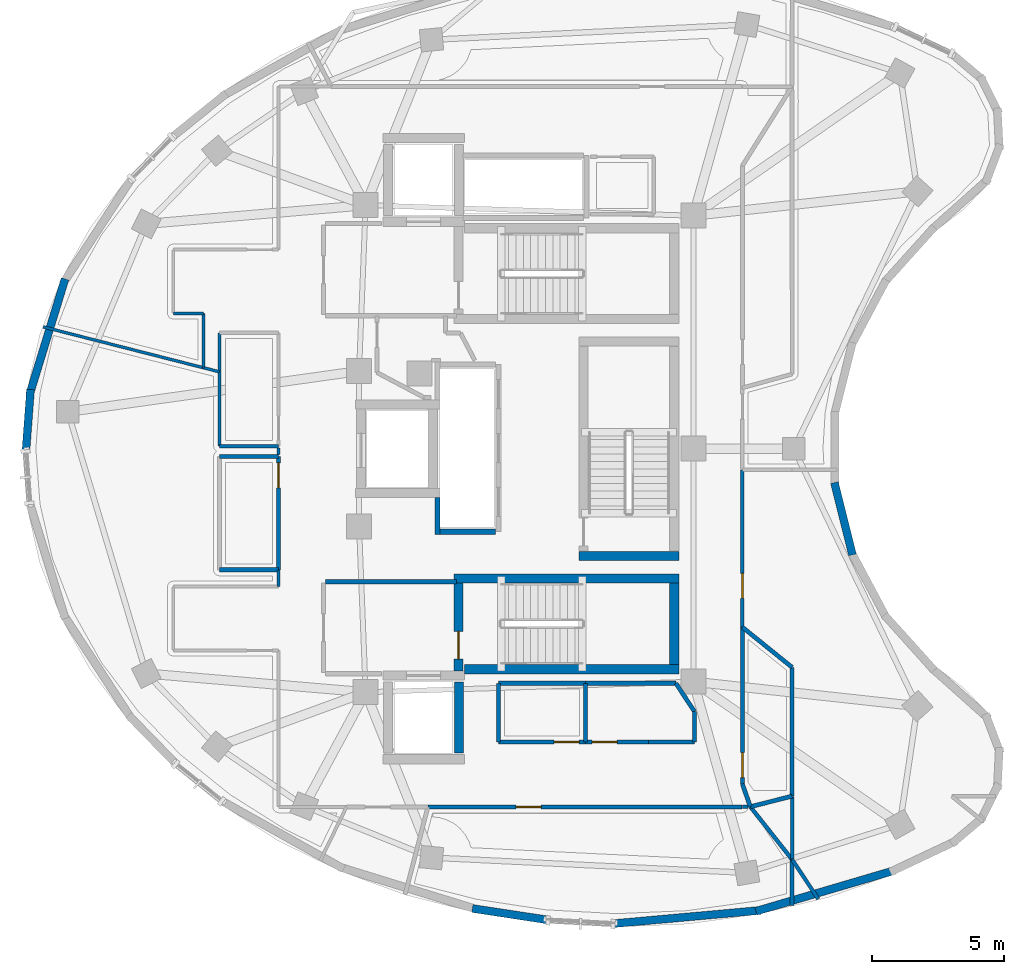
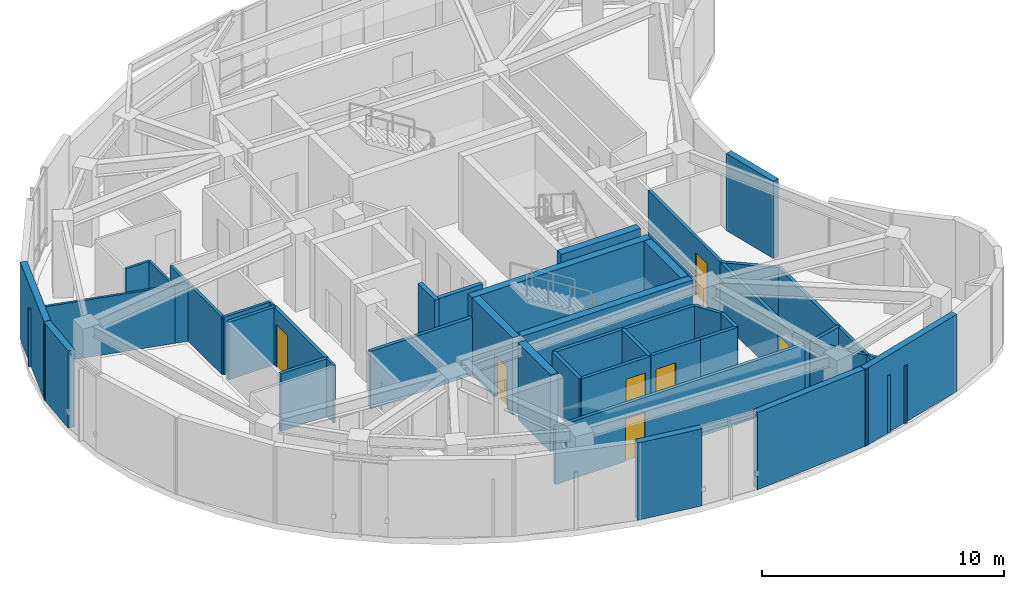
# One storey, part 4 of 10: 47 walls, 7 doors, 7 openings.
"""IFC4 building model written with IfcOpenShell, lengths in metres."""

from ifc_helpers import new_model, si_unit, direction, frame, frame_2d, origin, place, context, subcontext, project, spatial, rectangle, extrude, material, layer, layer_set, type_object, element, fill, save


model = new_model("IFC4")

# Units and contexts
model_context = context("Model", 3, precision=1e-05, world=origin(), true_north=direction((0.0, 1.0)))
body_context = subcontext(model_context, "Body", "Model", "MODEL_VIEW")
ifc_project = project(units=[si_unit("LENGTHUNIT", "METRE"), si_unit("AREAUNIT", "SQUARE_METRE"), si_unit("VOLUMEUNIT", "CUBIC_METRE"), si_unit("PLANEANGLEUNIT", "RADIAN"), si_unit("MASSUNIT", "GRAM", prefix="KILO")], contexts=[model_context])

# Site, building, storey
site_placement = place(None, origin())
site = spatial("IfcSite", under=ifc_project, at=site_placement, CompositionType="ELEMENT")
building_placement = place(site_placement, origin())
building = spatial("IfcBuilding", under=site, at=building_placement, Name="Korentha Bioscience Tower", CompositionType="ELEMENT")
storey_placement = place(building_placement, frame((0.0, 0.0, 306.0)))
storey = spatial("IfcBuildingStorey", under=building, at=storey_placement, Name="L70", CompositionType="ELEMENT", Elevation=306.0)

# Wall, opening, door
ifc_material_1 = material(Name="Double-Stud Acoustic Gypsum", Category="gypsum")
ifc_layer_1 = layer(ifc_material_1, 0.14990234375, Name="Double-Stud Acoustic Gypsum")
ifc_layer_set_1 = layer_set([ifc_layer_1], Name="Double-Stud Acoustic Gypsum (IW-L150)")
wall_type_1 = type_object("IfcWallType", Name="Acoustic Laboratory Partition Wall 150", PredefinedType="PARTITIONING", material=ifc_layer_set_1)
wall_1_placement = place(storey_placement, frame((27.4736328125, 13.389892578125, 0.0), z_axis=(0.0, 0.0, 1.0), x_axis=(1.0, 0.0, 0.0)))
wall_1 = element("IfcWall", 1, at=wall_1_placement, inside=storey, type_object=wall_type_1, Name="L70 Staff Pantry Kitchenette 03 Entrance Wall", PredefinedType="PARTITIONING", context=body_context, shape_type="SweptSolid", body=[
    extrude(rectangle(XDim=11.92626953125, YDim=0.14990234375, at=frame_2d((5.963134765625, 0.0))), origin(), (0.0, 0.0, 1.0), 2.909912109375),
])
opening_1_placement = place(wall_1_placement, frame((3.343505859375, 0.0, 0.0)))
opening_1 = element("IfcOpeningElement", 2, at=opening_1_placement, cuts=wall_1, Name="Opening ID-10L", PredefinedType="OPENING", context=body_context, shape_type="SweptSolid", body=[
    extrude(rectangle(XDim=0.949951171875, YDim=2.14990234375, at=frame_2d((0.47509765625, 1.074951171875))), frame((0.0, 0.08984375, 0.0), z_axis=(0.0, -1.0, 0.0), x_axis=(1.0, 0.0, 0.0)), (0.0, 0.0, 1.0), 0.1796875),
])
ifc_material_2 = material(Name="Phenolic Laminate Timber Core", Category="wood")
door_type_1 = type_object("IfcDoorType", Name="Laboratory Single Leaf Door 950x2150 Left", OperationType="SINGLE_SWING_LEFT", PredefinedType="DOOR", material=ifc_material_2)
door_1_placement = place(opening_1_placement, origin())
door_1 = element("IfcDoor", 3, at=door_1_placement, inside=storey, type_object=door_type_1, Name="L70 Staff Pantry Kitchenette 03 Door", OperationType="SINGLE_SWING_LEFT", OverallHeight=2.14990234375, OverallWidth=0.949951171875, PredefinedType="DOOR", context=body_context, shape_type="SweptSolid", body=[
    extrude(rectangle(XDim=0.949951171875, YDim=2.14990234375, at=frame_2d((0.47509765625, 1.074951171875))), frame((0.0, 0.02490234375, 0.0), z_axis=(0.0, -1.0, 0.0), x_axis=(1.0, 0.0, 0.0)), (0.0, 0.0, 1.0), 0.050048828125),
])
fill(opening_1, door_1)

# Walls
wall_2_placement = place(storey_placement, frame((39.71337890625, 13.39990234375, 0.0), z_axis=(0.0, 0.0, 1.0), x_axis=(0.620093383625, -0.784528008158, 0.0)))
element("IfcWall", 4, at=wall_2_placement, inside=storey, type_object=wall_type_1, Name="L70 Interior Partition 037", PredefinedType="PARTITIONING", context=body_context, shape_type="SweptSolid", body=[
    extrude(rectangle(XDim=2.55517578125, YDim=0.14990234375, at=frame_2d((1.277587890625, 0.0))), origin(), (0.0, 0.0, 1.0), 2.909912109375),
])
wall_3_placement = place(storey_placement, frame((41.298095703125, 11.39501953125, 0.0), z_axis=(0.0, 0.0, 1.0), x_axis=(0.0, -1.0, 0.0)))
element("IfcWall", 5, at=wall_3_placement, inside=storey, type_object=wall_type_1, Name="L70 Interior Partition 038", PredefinedType="PARTITIONING", context=body_context, shape_type="SweptSolid", body=[
    extrude(rectangle(XDim=1.74609375, YDim=0.14990234375, at=frame_2d((0.873046875, 0.0))), origin(), (0.0, 0.0, 1.0), 2.909912109375),
])
wall_4_placement = place(storey_placement, frame((39.409912109375, 13.39990234375, 0.0), z_axis=(0.0, 0.0, 1.0), x_axis=(1.0, 0.0, 0.0)))
element("IfcWall", 6, at=wall_4_placement, inside=storey, type_object=wall_type_1, Name="L70 Interior Partition 040", PredefinedType="PARTITIONING", context=body_context, shape_type="SweptSolid", body=[
    extrude(rectangle(XDim=0.215576171875, YDim=0.14990234375, at=frame_2d((0.10791015625, 0.0))), origin(), (0.0, 0.0, 1.0), 2.909912109375),
])

# Wall, opening, door
ifc_material_3 = material(Name="Insulated Aluminium Honeycomb Panel", Category="aluminium")
ifc_layer_2 = layer(ifc_material_3, 0.139892578125, Name="Insulated Aluminium Honeycomb Panel")
ifc_layer_set_2 = layer_set([ifc_layer_2], Name="Insulated Aluminium Honeycomb Panel (IW-F60)")
wall_type_2 = type_object("IfcWallType", Name="Cleanroom Flush Metal Panel Partition 140", PredefinedType="PARTITIONING", material=ifc_layer_set_2)
wall_5_placement = place(storey_placement, frame((39.409912109375, 20.230224609375, 0.0), z_axis=(0.0, 0.0, 1.0), x_axis=(0.0, 1.0, 0.0)))
wall_5 = element("IfcWall", 7, at=wall_5_placement, inside=storey, type_object=wall_type_2, Name="L70 BSL-2 Cell Culture Cleanroom Laboratory 06 Entrance Wall", PredefinedType="PARTITIONING", context=body_context, shape_type="SweptSolid", body=[
    extrude(rectangle(XDim=5.9677734375, YDim=0.139892578125, at=frame_2d((2.98388671875, 0.0))), origin(), (0.0, 0.0, 1.0), 2.909912109375),
])
opening_2_placement = place(wall_5_placement, frame((1.080322265625, 0.0, 0.0)))
opening_2 = element("IfcOpeningElement", 8, at=opening_2_placement, cuts=wall_5, Name="Opening ID-10R", PredefinedType="OPENING", context=body_context, shape_type="SweptSolid", body=[
    extrude(rectangle(XDim=0.949951171875, YDim=2.14990234375, at=frame_2d((0.47509765625, 1.074951171875))), frame((0.0, 0.0849609375, 0.0), z_axis=(0.0, -1.0, 0.0), x_axis=(1.0, 0.0, 0.0)), (0.0, 0.0, 1.0), 0.169677734375),
])
door_type_2 = type_object("IfcDoorType", Name="Laboratory Single Leaf Door 950x2150 Right", OperationType="SINGLE_SWING_RIGHT", PredefinedType="DOOR", material=ifc_material_2)
door_2_placement = place(opening_2_placement, origin())
door_2 = element("IfcDoor", 9, at=door_2_placement, inside=storey, type_object=door_type_2, Name="L70 BSL-2 Cell Culture Cleanroom Laboratory 06 Door", OperationType="SINGLE_SWING_RIGHT", OverallHeight=2.14990234375, OverallWidth=0.949951171875, PredefinedType="DOOR", context=body_context, shape_type="SweptSolid", body=[
    extrude(rectangle(XDim=0.949951171875, YDim=2.14990234375, at=frame_2d((0.47509765625, 1.074951171875))), frame((0.0, 0.02490234375, 0.0), z_axis=(0.0, -1.0, 0.0), x_axis=(1.0, 0.0, 0.0)), (0.0, 0.0, 1.0), 0.050048828125),
])
fill(opening_2, door_2)

# Walls
wall_6_placement = place(storey_placement, frame((42.290771484375, 9.89697265625, 0.0), z_axis=(0.0, 0.0, 1.0), x_axis=(-0.550495379436, 0.834838210206, 0.0)))
element("IfcWall", 10, at=wall_6_placement, inside=storey, type_object=wall_type_2, Name="L70 Interior Partition 052", PredefinedType="PARTITIONING", context=body_context, shape_type="SweptSolid", body=[
    extrude(rectangle(XDim=1.78515625, YDim=0.139892578125, at=frame_2d((0.892578125, 0.0))), origin(), (0.0, 0.0, 1.0), 2.909912109375),
])
wall_7_placement = place(storey_placement, frame((41.302001953125, 11.4072265625, 0.0), z_axis=(0.0, 0.0, 1.0), x_axis=(0.0, 1.0, 0.0)))
element("IfcWall", 11, at=wall_7_placement, inside=storey, type_object=wall_type_2, Name="L70 Interior Partition 053", PredefinedType="PARTITIONING", context=body_context, shape_type="SweptSolid", body=[
    extrude(rectangle(XDim=2.385498046875, YDim=0.139892578125, at=frame_2d((1.19287109375, 0.0))), origin(), (0.0, 0.0, 1.0), 2.909912109375),
])
ifc_material_4 = material(Name="Fire-Rated Framed Glass", Category="glass")
ifc_layer_3 = layer(ifc_material_4, 0.110107421875, Name="Fire-Rated Framed Glass")
ifc_layer_set_3 = layer_set([ifc_layer_3], Name="Fire-Rated Framed Glass (IW-G110)")
wall_type_3 = type_object("IfcWallType", Name="Demountable Glazed Office Partition 110", PredefinedType="MOVABLE", material=ifc_layer_set_3)
wall_8_placement = place(storey_placement, frame((12.8544921875, 31.6259765625, 0.0), z_axis=(0.0, 0.0, 1.0), x_axis=(0.96901544636, -0.247000131004, 0.0)))
element("IfcWall", 12, at=wall_8_placement, inside=storey, type_object=wall_type_3, Name="L70 Interior Partition 027", PredefinedType="MOVABLE", context=body_context, shape_type="SweptSolid", body=[
    extrude(rectangle(XDim=6.288330078125, YDim=0.110107421875, at=frame_2d((3.14404296875, 0.0))), origin(), (0.0, 0.0, 1.0), 2.909912109375),
])
wall_9_placement = place(storey_placement, frame((18.9521484375, 30.07177734375, 0.0), z_axis=(0.0, 0.0, 1.0), x_axis=(0.968995646976, -0.247077793706, 0.0)))
element("IfcWall", 13, at=wall_9_placement, inside=storey, type_object=wall_type_3, Name="L70 Interior Partition 028", PredefinedType="MOVABLE", context=body_context, shape_type="SweptSolid", body=[
    extrude(rectangle(XDim=0.606689453125, YDim=0.110107421875, at=frame_2d((0.30322265625, 0.0))), origin(), (0.0, 0.0, 1.0), 2.909912109375),
])
wall_10_placement = place(storey_placement, frame((21.7900390625, 27.031982421875, 0.0), z_axis=(0.0, 0.0, 1.0), x_axis=(0.0, -1.0, 0.0)))
element("IfcWall", 14, at=wall_10_placement, inside=storey, type_object=wall_type_3, Name="L70 Interior Partition 029", PredefinedType="MOVABLE", context=body_context, shape_type="SweptSolid", body=[
    extrude(rectangle(XDim=0.2490234375, YDim=0.110107421875, at=frame_2d((0.12451171875, 0.0))), origin(), (0.0, 0.0, 1.0), 2.909912109375),
])
wall_11_placement = place(storey_placement, frame((21.7900390625, 22.389892578125, 0.0), z_axis=(0.0, 0.0, 1.0), x_axis=(0.0, -1.0, 0.0)))
element("IfcWall", 15, at=wall_11_placement, inside=storey, type_object=wall_type_3, Name="L70 Interior Partition 030", PredefinedType="MOVABLE", context=body_context, shape_type="SweptSolid", body=[
    extrude(rectangle(XDim=0.6298828125, YDim=0.110107421875, at=frame_2d((0.31494140625, 0.0))), origin(), (0.0, 0.0, 1.0), 2.909912109375),
])
wall_12_placement = place(storey_placement, frame((17.800048828125, 32.139892578125, 0.0), z_axis=(0.0, 0.0, 1.0), x_axis=(1.0, 0.0, 0.0)))
element("IfcWall", 16, at=wall_12_placement, inside=storey, type_object=wall_type_3, Name="L70 Interior Partition 071", PredefinedType="MOVABLE", context=body_context, shape_type="SweptSolid", body=[
    extrude(rectangle(XDim=1.14794921875, YDim=0.110107421875, at=frame_2d((0.573974609375, 0.0))), origin(), (0.0, 0.0, 1.0), 2.909912109375),
])
wall_13_placement = place(storey_placement, frame((18.947998046875, 32.139892578125, 0.0), z_axis=(0.0, 0.0, 1.0), x_axis=(0.0, -1.0, 0.0)))
element("IfcWall", 17, at=wall_13_placement, inside=storey, type_object=wall_type_3, Name="L70 Interior Partition 072", PredefinedType="MOVABLE", context=body_context, shape_type="SweptSolid", body=[
    extrude(rectangle(XDim=2.056884765625, YDim=0.110107421875, at=frame_2d((1.0283203125, 0.0))), origin(), (0.0, 0.0, 1.0), 2.909912109375),
])
ifc_material_5 = material(Name="Gypsum-Clad Steel Stud", Category="steel")
ifc_layer_4 = layer(ifc_material_5, 0.159912109375, Name="Gypsum-Clad Steel Stud")
ifc_layer_set_4 = layer_set([ifc_layer_4], Name="Gypsum-Clad Steel Stud (IW-C160)")
wall_type_4 = type_object("IfcWallType", Name="Fire-Rated Corridor Partition Wall 160", PredefinedType="PARTITIONING", material=ifc_layer_set_4)
wall_14_placement = place(storey_placement, frame((23.580078125, 21.949951171875, 0.0), z_axis=(0.0, 0.0, 1.0), x_axis=(1.0, 0.0, 0.0)))
element("IfcWall", 18, at=wall_14_placement, inside=storey, type_object=wall_type_4, Name="L70 Firefighting Lobby Return Wall FFLS-N", PredefinedType="PARTITIONING", context=body_context, shape_type="SweptSolid", body=[
    extrude(rectangle(XDim=4.969970703125, YDim=0.159912109375, at=frame_2d((2.48486328125, 0.0))), origin(), (0.0, 0.0, 1.0), 2.909912109375),
])

# Wall, opening, door
wall_15_placement = place(storey_placement, frame((33.449951171875, 15.860107421875, 0.0), z_axis=(0.0, 0.0, 1.0), x_axis=(-1.0, 0.0, 0.0)))
wall_15 = element("IfcWall", 19, at=wall_15_placement, inside=storey, type_object=wall_type_4, Name="L70 Core Instrumentation and Gas Store Entrance Wall", PredefinedType="PARTITIONING", context=body_context, shape_type="SweptSolid", body=[
    extrude(rectangle(XDim=3.300048828125, YDim=0.159912109375, at=frame_2d((1.64990234375, 0.0))), origin(), (0.0, 0.0, 1.0), 2.909912109375),
])
opening_3_placement = place(wall_15_placement, frame((0.239990234375, 0.0, 0.0)))
opening_3 = element("IfcOpeningElement", 20, at=opening_3_placement, cuts=wall_15, Name="Opening ID-10L", PredefinedType="OPENING", context=body_context, shape_type="SweptSolid", body=[
    extrude(rectangle(XDim=0.949951171875, YDim=2.14990234375, at=frame_2d((0.47509765625, 1.074951171875))), frame((0.0, 0.0947265625, 0.0), z_axis=(0.0, -1.0, 0.0), x_axis=(1.0, 0.0, 0.0)), (0.0, 0.0, 1.0), 0.189697265625),
])
door_3_placement = place(opening_3_placement, origin())
door_3 = element("IfcDoor", 21, at=door_3_placement, inside=storey, type_object=door_type_1, Name="L70 Core Instrumentation and Gas Store Door", OperationType="SINGLE_SWING_LEFT", OverallHeight=2.14990234375, OverallWidth=0.949951171875, PredefinedType="DOOR", context=body_context, shape_type="SweptSolid", body=[
    extrude(rectangle(XDim=0.949951171875, YDim=2.14990234375, at=frame_2d((0.47509765625, 1.074951171875))), frame((0.0, 0.02490234375, 0.0), z_axis=(0.0, -1.0, 0.0), x_axis=(1.0, 0.0, 0.0)), (0.0, 0.0, 1.0), 0.050048828125),
])
fill(opening_3, door_3)

wall_16_placement = place(storey_placement, frame((21.7900390625, 26.699951171875, 0.0), z_axis=(0.0, 0.0, 1.0), x_axis=(0.0, -1.0, 0.0)))
wall_16 = element("IfcWall", 22, at=wall_16_placement, inside=storey, type_object=wall_type_4, Name="L70 Reclaimed Bank-2 Electrical Switchgear Store Entrance Wall", PredefinedType="PARTITIONING", context=body_context, shape_type="SweptSolid", body=[
    extrude(rectangle(XDim=4.300048828125, YDim=0.159912109375, at=frame_2d((2.14990234375, 0.0))), origin(), (0.0, 0.0, 1.0), 2.909912109375),
])
opening_4_placement = place(wall_16_placement, frame((0.239990234375, 0.0, 0.0)))
opening_4 = element("IfcOpeningElement", 23, at=opening_4_placement, cuts=wall_16, Name="Opening ID-10L", PredefinedType="OPENING", context=body_context, shape_type="SweptSolid", body=[
    extrude(rectangle(XDim=0.949951171875, YDim=2.14990234375, at=frame_2d((0.47509765625, 1.074951171875))), frame((0.0, 0.0947265625, 0.0), z_axis=(0.0, -1.0, 0.0), x_axis=(1.0, 0.0, 0.0)), (0.0, 0.0, 1.0), 0.189697265625),
])
door_4_placement = place(opening_4_placement, origin())
door_4 = element("IfcDoor", 24, at=door_4_placement, inside=storey, type_object=door_type_1, Name="L70 Reclaimed Bank-2 Electrical Switchgear Store Door", OperationType="SINGLE_SWING_LEFT", OverallHeight=2.14990234375, OverallWidth=0.949951171875, PredefinedType="DOOR", context=body_context, shape_type="SweptSolid", body=[
    extrude(rectangle(XDim=0.949951171875, YDim=2.14990234375, at=frame_2d((0.47509765625, 1.074951171875))), frame((0.0, 0.02490234375, 0.0), z_axis=(0.0, -1.0, 0.0), x_axis=(1.0, 0.0, 0.0)), (0.0, 0.0, 1.0), 0.050048828125),
])
fill(opening_4, door_4)

wall_17_placement = place(storey_placement, frame((35.840087890625, 15.860107421875, 0.0), z_axis=(0.0, 0.0, 1.0), x_axis=(-1.0, 0.0, 0.0)))
wall_17 = element("IfcWall", 25, at=wall_17_placement, inside=storey, type_object=wall_type_4, Name="L70 Biospecimen Archive Store 04 Entrance Wall", PredefinedType="PARTITIONING", context=body_context, shape_type="SweptSolid", body=[
    extrude(rectangle(XDim=2.380126953125, YDim=0.159912109375, at=frame_2d((1.18994140625, 0.0))), origin(), (0.0, 0.0, 1.0), 2.909912109375),
])
opening_5_placement = place(wall_17_placement, frame((1.18994140625, 0.0, 0.0)))
opening_5 = element("IfcOpeningElement", 26, at=opening_5_placement, cuts=wall_17, Name="Opening ID-10R", PredefinedType="OPENING", context=body_context, shape_type="SweptSolid", body=[
    extrude(rectangle(XDim=0.949951171875, YDim=2.14990234375, at=frame_2d((0.47509765625, 1.074951171875))), frame((0.0, 0.0947265625, 0.0), z_axis=(0.0, -1.0, 0.0), x_axis=(1.0, 0.0, 0.0)), (0.0, 0.0, 1.0), 0.189697265625),
])
door_5_placement = place(opening_5_placement, origin())
door_5 = element("IfcDoor", 27, at=door_5_placement, inside=storey, type_object=door_type_2, Name="L70 Biospecimen Archive Store 04 Door", OperationType="SINGLE_SWING_RIGHT", OverallHeight=2.14990234375, OverallWidth=0.949951171875, PredefinedType="DOOR", context=body_context, shape_type="SweptSolid", body=[
    extrude(rectangle(XDim=0.949951171875, YDim=2.14990234375, at=frame_2d((0.47509765625, 1.074951171875))), frame((0.0, 0.02490234375, 0.0), z_axis=(0.0, -1.0, 0.0), x_axis=(1.0, 0.0, 0.0)), (0.0, 0.0, 1.0), 0.050048828125),
])
fill(opening_5, door_5)

wall_18_placement = place(storey_placement, frame((39.409912109375, 14.265625, 0.0), z_axis=(0.0, 0.0, 1.0), x_axis=(0.0, 1.0, 0.0)))
wall_18 = element("IfcWall", 28, at=wall_18_placement, inside=storey, type_object=wall_type_4, Name="L70 Cryogenic Dewar Supply Store 05 Entrance Wall", PredefinedType="PARTITIONING", context=body_context, shape_type="SweptSolid", body=[
    extrude(rectangle(XDim=5.95458984375, YDim=0.159912109375, at=frame_2d((2.977294921875, 0.0))), origin(), (0.0, 0.0, 1.0), 2.909912109375),
])
opening_6_placement = place(wall_18_placement, frame((0.239990234375, 0.0, 0.0)))
opening_6 = element("IfcOpeningElement", 29, at=opening_6_placement, cuts=wall_18, Name="Opening ID-10L", PredefinedType="OPENING", context=body_context, shape_type="SweptSolid", body=[
    extrude(rectangle(XDim=0.949951171875, YDim=2.14990234375, at=frame_2d((0.47509765625, 1.074951171875))), frame((0.0, 0.0947265625, 0.0), z_axis=(0.0, -1.0, 0.0), x_axis=(1.0, 0.0, 0.0)), (0.0, 0.0, 1.0), 0.189697265625),
])
door_6_placement = place(opening_6_placement, origin())
door_6 = element("IfcDoor", 30, at=door_6_placement, inside=storey, type_object=door_type_1, Name="L70 Cryogenic Dewar Supply Store 05 Door", OperationType="SINGLE_SWING_LEFT", OverallHeight=2.14990234375, OverallWidth=0.949951171875, PredefinedType="DOOR", context=body_context, shape_type="SweptSolid", body=[
    extrude(rectangle(XDim=0.949951171875, YDim=2.14990234375, at=frame_2d((0.47509765625, 1.074951171875))), frame((0.0, 0.02490234375, 0.0), z_axis=(0.0, -1.0, 0.0), x_axis=(1.0, 0.0, 0.0)), (0.0, 0.0, 1.0), 0.050048828125),
])
fill(opening_6, door_6)

# Walls
wall_19_placement = place(storey_placement, frame((30.14990234375, 15.860107421875, 0.0), z_axis=(0.0, 0.0, 1.0), x_axis=(0.0, 1.0, 0.0)))
element("IfcWall", 31, at=wall_19_placement, inside=storey, type_object=wall_type_4, Name="L70 Interior Partition 016", PredefinedType="PARTITIONING", context=body_context, shape_type="SweptSolid", body=[
    extrude(rectangle(XDim=2.22998046875, YDim=0.159912109375, at=frame_2d((1.114990234375, 0.0))), origin(), (0.0, 0.0, 1.0), 2.909912109375),
])
wall_20_placement = place(storey_placement, frame((30.14990234375, 18.090087890625, 0.0), z_axis=(0.0, 0.0, 1.0), x_axis=(1.0, 0.0, 0.0)))
element("IfcWall", 32, at=wall_20_placement, inside=storey, type_object=wall_type_4, Name="L70 Interior Partition 017", PredefinedType="PARTITIONING", context=body_context, shape_type="SweptSolid", body=[
    extrude(rectangle(XDim=3.300048828125, YDim=0.159912109375, at=frame_2d((1.64990234375, 0.0))), origin(), (0.0, 0.0, 1.0), 2.909912109375),
])
wall_21_placement = place(storey_placement, frame((33.449951171875, 18.090087890625, 0.0), z_axis=(0.0, 0.0, 1.0), x_axis=(0.0, -1.0, 0.0)))
element("IfcWall", 33, at=wall_21_placement, inside=storey, type_object=wall_type_4, Name="L70 Interior Partition 018", PredefinedType="PARTITIONING", context=body_context, shape_type="SweptSolid", body=[
    extrude(rectangle(XDim=2.22998046875, YDim=0.159912109375, at=frame_2d((1.114990234375, 0.0))), origin(), (0.0, 0.0, 1.0), 2.909912109375),
])
for number, where, z_axis, x_axis, name in (
    (34, (21.7900390625, 22.39990234375, 0.0), (0.0, 0.0, 1.0), (-1.0, 0.0, 0.0), "L70 Interior Partition 021"),
    (35, (19.550048828125, 26.699951171875, 0.0), (0.0, 0.0, 1.0), (1.0, 0.0, 0.0), "L70 Interior Partition 023"),
):
    element("IfcWall", number, at=place(storey_placement, frame(where, z_axis=z_axis, x_axis=x_axis)), inside=storey, type_object=wall_type_4, Name=name, PredefinedType="PARTITIONING", context=body_context, shape_type="SweptSolid", body=[
        extrude(rectangle(XDim=2.239990234375, YDim=0.159912109375, at=frame_2d((1.1201171875, 0.0))), origin(), (0.0, 0.0, 1.0), 2.909912109375),
    ])
wall_22_placement = place(storey_placement, frame((37.590087890625, 17.0185546875, 0.0), z_axis=(0.0, 0.0, 1.0), x_axis=(0.0, -1.0, 0.0)))
element("IfcWall", 36, at=wall_22_placement, inside=storey, type_object=wall_type_4, Name="L70 Interior Partition 041", PredefinedType="PARTITIONING", context=body_context, shape_type="SweptSolid", body=[
    extrude(rectangle(XDim=1.158447265625, YDim=0.159912109375, at=frame_2d((0.5791015625, 0.0))), origin(), (0.0, 0.0, 1.0), 2.909912109375),
])
wall_23_placement = place(storey_placement, frame((37.590087890625, 15.860107421875, 0.0), z_axis=(0.0, 0.0, 1.0), x_axis=(-1.0, 0.0, 0.0)))
element("IfcWall", 37, at=wall_23_placement, inside=storey, type_object=wall_type_4, Name="L70 Interior Partition 042", PredefinedType="PARTITIONING", context=body_context, shape_type="SweptSolid", body=[
    extrude(rectangle(XDim=1.75, YDim=0.159912109375, at=frame_2d((0.875, 0.0))), origin(), (0.0, 0.0, 1.0), 2.909912109375),
])
wall_24_placement = place(storey_placement, frame((33.4599609375, 18.090087890625, 0.0), z_axis=(0.0, 0.0, 1.0), x_axis=(1.0, 0.0, 0.0)))
element("IfcWall", 38, at=wall_24_placement, inside=storey, type_object=wall_type_4, Name="L70 Interior Partition 043", PredefinedType="PARTITIONING", context=body_context, shape_type="SweptSolid", body=[
    extrude(rectangle(XDim=3.423583984375, YDim=0.159912109375, at=frame_2d((1.7119140625, 0.0))), origin(), (0.0, 0.0, 1.0), 2.909912109375),
])
wall_25_placement = place(storey_placement, frame((36.883544921875, 18.090087890625, 0.0), z_axis=(0.0, 0.0, 1.0), x_axis=(0.550479112078, -0.834848936734, 0.0)))
element("IfcWall", 39, at=wall_25_placement, inside=storey, type_object=wall_type_4, Name="L70 Interior Partition 044", PredefinedType="PARTITIONING", context=body_context, shape_type="SweptSolid", body=[
    extrude(rectangle(XDim=1.283447265625, YDim=0.159912109375, at=frame_2d((0.6416015625, 0.0))), origin(), (0.0, 0.0, 1.0), 2.909912109375),
])
wall_26_placement = place(storey_placement, frame((41.298095703125, 18.69677734375, 0.0), z_axis=(0.0, 0.0, 1.0), x_axis=(0.0, -1.0, 0.0)))
element("IfcWall", 40, at=wall_26_placement, inside=storey, type_object=wall_type_4, Name="L70 Interior Partition 045", PredefinedType="PARTITIONING", context=body_context, shape_type="SweptSolid", body=[
    extrude(rectangle(XDim=4.894775390625, YDim=0.159912109375, at=frame_2d((2.447265625, 0.0))), origin(), (0.0, 0.0, 1.0), 2.909912109375),
])
wall_27_placement = place(storey_placement, frame((41.298095703125, 13.802001953125, 0.0), z_axis=(0.0, 0.0, 1.0), x_axis=(-0.969284468685, -0.245942307799, 0.0)))
element("IfcWall", 41, at=wall_27_placement, inside=storey, type_object=wall_type_4, Name="L70 Interior Partition 046", PredefinedType="PARTITIONING", context=body_context, shape_type="SweptSolid", body=[
    extrude(rectangle(XDim=1.635009765625, YDim=0.159912109375, at=frame_2d((0.8173828125, 0.0))), origin(), (0.0, 0.0, 1.0), 2.909912109375),
])
wall_28_placement = place(storey_placement, frame((39.71337890625, 13.39990234375, 0.0), z_axis=(0.0, 0.0, 1.0), x_axis=(-0.330800853859, 0.943700585507, 0.0)))
element("IfcWall", 42, at=wall_28_placement, inside=storey, type_object=wall_type_4, Name="L70 Interior Partition 047", PredefinedType="PARTITIONING", context=body_context, shape_type="SweptSolid", body=[
    extrude(rectangle(XDim=0.91748046875, YDim=0.159912109375, at=frame_2d((0.458740234375, 0.0))), origin(), (0.0, 0.0, 1.0), 2.909912109375),
])
wall_29_placement = place(storey_placement, frame((39.409912109375, 20.22021484375, 0.0), z_axis=(0.0, 0.0, 1.0), x_axis=(0.778270259655, -0.627929456975, 0.0)))
element("IfcWall", 43, at=wall_29_placement, inside=storey, type_object=wall_type_4, Name="L70 Interior Partition 048", PredefinedType="PARTITIONING", context=body_context, shape_type="SweptSolid", body=[
    extrude(rectangle(XDim=2.426025390625, YDim=0.159912109375, at=frame_2d((1.212890625, 0.0))), origin(), (0.0, 0.0, 1.0), 2.909912109375),
])
ifc_material_6 = material(Name="Honed Limestone Precast Concrete C40", Category="masonry")
ifc_layer_5 = layer(ifc_material_6, 0.300048828125, Name="Honed Limestone Precast Concrete C40")
ifc_layer_set_5 = layer_set([ifc_layer_5], Name="Honed Limestone Precast Concrete C40 (EW-ST300)")
wall_type_5 = type_object("IfcWallType", Name="Honed Limestone Cavity Spandrel Wall 300", PredefinedType="STANDARD", material=ifc_layer_set_5)
wall_30_placement = place(storey_placement, frame((13.681396484375, 33.448974609375, 0.0), z_axis=(0.0, 0.0, 1.0), x_axis=(-0.293311854667, -0.956016817797, 0.0)))
element("IfcWall", 44, at=wall_30_placement, inside=storey, type_object=wall_type_5, Name="L70 Limestone Perimeter Closure Wall 16", PredefinedType="STANDARD", context=body_context, shape_type="SweptSolid", body=[
    extrude(rectangle(XDim=4.5888671875, YDim=0.300048828125, at=frame_2d((2.29443359375, 0.0))), origin(), (0.0, 0.0, 1.0), 3.89990234375),
])
wall_31_placement = place(storey_placement, frame((12.37060546875, 29.248779296875, 0.0), z_axis=(0.0, 0.0, 1.0), x_axis=(-0.075040925575, -0.997180454827, 0.0)))
element("IfcWall", 45, at=wall_31_placement, inside=storey, type_object=wall_type_5, Name="L70 Limestone Perimeter Closure Wall 18", PredefinedType="STANDARD", context=body_context, shape_type="SweptSolid", body=[
    extrude(rectangle(XDim=2.345703125, YDim=0.300048828125, at=frame_2d((1.1728515625, 0.0))), origin(), (0.0, 0.0, 1.0), 3.89990234375),
])
wall_32_placement = place(storey_placement, frame((29.15380859375, 9.535400390625, 0.0), z_axis=(0.0, 0.0, 1.0), x_axis=(0.988626523862, -0.150391476873, 0.0)))
element("IfcWall", 46, at=wall_32_placement, inside=storey, type_object=wall_type_5, Name="L70 Limestone Perimeter Closure Wall 30", PredefinedType="STANDARD", context=body_context, shape_type="SweptSolid", body=[
    extrude(rectangle(XDim=2.875, YDim=0.300048828125, at=frame_2d((1.4375, 0.0))), origin(), (0.0, 0.0, 1.0), 3.89990234375),
])
wall_33_placement = place(storey_placement, frame((34.529296875, 8.960693359375, 0.0), z_axis=(0.0, 0.0, 1.0), x_axis=(0.995950163058, 0.089907022552, 0.0)))
element("IfcWall", 47, at=wall_33_placement, inside=storey, type_object=wall_type_5, Name="L70 Limestone Perimeter Closure Wall 32", PredefinedType="STANDARD", context=body_context, shape_type="SweptSolid", body=[
    extrude(rectangle(XDim=5.60205078125, YDim=0.300048828125, at=frame_2d((2.801025390625, 0.0))), origin(), (0.0, 0.0, 1.0), 3.89990234375),
])
wall_34_placement = place(storey_placement, frame((39.92529296875, 9.429443359375, 0.0), z_axis=(0.0, 0.0, 1.0), x_axis=(0.959276315934, 0.282469378321, 0.0)))
element("IfcWall", 48, at=wall_34_placement, inside=storey, type_object=wall_type_5, Name="L70 Limestone Perimeter Closure Wall 34", PredefinedType="STANDARD", context=body_context, shape_type="SweptSolid", body=[
    extrude(rectangle(XDim=5.495361328125, YDim=0.300048828125, at=frame_2d((2.74755859375, 0.0))), origin(), (0.0, 0.0, 1.0), 3.89990234375),
])
wall_35_placement = place(storey_placement, frame((43.593505859375, 22.96484375, 0.0), z_axis=(0.0, 0.0, 1.0), x_axis=(-0.241926331659, 0.970294620231, 0.0)))
element("IfcWall", 49, at=wall_35_placement, inside=storey, type_object=wall_type_5, Name="L70 Limestone Perimeter Closure Wall 47", PredefinedType="STANDARD", context=body_context, shape_type="SweptSolid", body=[
    extrude(rectangle(XDim=2.82861328125, YDim=0.300048828125, at=frame_2d((1.414306640625, 0.0))), origin(), (0.0, 0.0, 1.0), 3.89990234375),
])
ifc_material_7 = material(Name="Autoclaved Aerated Concrete Block C25", Category="concrete")
ifc_layer_6 = layer(ifc_material_7, 0.199951171875, Name="Autoclaved Aerated Concrete Block C25")
ifc_layer_set_6 = layer_set([ifc_layer_6], Name="Autoclaved Aerated Concrete Block C25 (IW-S200)")
wall_type_6 = type_object("IfcWallType", Name="Lift and Riser Shaft Enclosure Wall 200", PredefinedType="PARTITIONING", material=ifc_layer_set_6)
wall_36_placement = place(storey_placement, frame((27.830078125, 23.75, 0.0), z_axis=(0.0, 0.0, 1.0), x_axis=(0.0, 1.0, 0.0)))
element("IfcWall", 50, at=wall_36_placement, inside=storey, type_object=wall_type_6, Name="L70 Lift Bank HIGH Shaft Wall -XS", PredefinedType="PARTITIONING", context=body_context, shape_type="SweptSolid", body=[
    extrude(rectangle(XDim=1.39111328125, YDim=0.199951171875, at=frame_2d((0.695556640625, 0.0))), origin(), (0.0, 0.0, 1.0), 2.909912109375),
])
wall_37_placement = place(storey_placement, frame((27.93408203125, 23.85009765625, 0.0), z_axis=(0.0, 0.0, 1.0), x_axis=(1.0, 0.0, 0.0)))
element("IfcWall", 51, at=wall_37_placement, inside=storey, type_object=wall_type_6, Name="L70 Lift Bank HIGH Shaft Wall -Y", PredefinedType="PARTITIONING", context=body_context, shape_type="SweptSolid", body=[
    extrude(rectangle(XDim=2.095947265625, YDim=0.199951171875, at=frame_2d((1.0478515625, 0.0))), origin(), (0.0, 0.0, 1.0), 2.909912109375),
])
ifc_material_8 = material(Name="Concrete C50", Category="concrete")
ifc_layer_7 = layer(ifc_material_8, 0.35009765625, Name="Concrete C50")
ifc_layer_set_7 = layer_set([ifc_layer_7], Name="Concrete C50 (CW-C50)")
wall_type_7 = type_object("IfcWallType", Name="Upper Core Shear Wall 350", PredefinedType="SHEAR", material=ifc_layer_set_7)
wall_38_placement = place(storey_placement, frame((28.85205078125, 18.625, 0.0), z_axis=(0.0, 0.0, 1.0), x_axis=(1.0, 0.0, 0.0)))
element("IfcWall", 52, at=wall_38_placement, inside=storey, type_object=wall_type_7, Name="L70 Core Shear Wall ST2-S", PredefinedType="SHEAR", context=body_context, shape_type="SweptSolid", body=[
    extrude(rectangle(XDim=8.14794921875, YDim=0.35009765625, at=frame_2d((4.073974609375, 0.0))), origin(), (0.0, 0.0, 1.0), 3.89990234375),
])
wall_39_placement = place(storey_placement, frame((28.449951171875, 22.074951171875, 0.0), z_axis=(0.0, 0.0, 1.0), x_axis=(1.0, 0.0, 0.0)))
element("IfcWall", 53, at=wall_39_placement, inside=storey, type_object=wall_type_7, Name="L70 Core Shear Wall ST2-N", PredefinedType="SHEAR", context=body_context, shape_type="SweptSolid", body=[
    extrude(rectangle(XDim=8.550048828125, YDim=0.35009765625, at=frame_2d((4.27490234375, 0.0))), origin(), (0.0, 0.0, 1.0), 3.89990234375),
])
wall_40_placement = place(storey_placement, frame((36.824951171875, 18.81005859375, 0.0), z_axis=(0.0, 0.0, 1.0), x_axis=(0.0, 1.0, 0.0)))
element("IfcWall", 54, at=wall_40_placement, inside=storey, type_object=wall_type_7, Name="L70 Core Shear Wall ST2-E", PredefinedType="SHEAR", context=body_context, shape_type="SweptSolid", body=[
    extrude(rectangle(XDim=3.079833984375, YDim=0.35009765625, at=frame_2d((1.5400390625, 0.0))), origin(), (0.0, 0.0, 1.0), 3.89990234375),
])

# Wall, opening, door
wall_41_placement = place(storey_placement, frame((28.625, 18.556884765625, 0.0), z_axis=(0.0, 0.0, 1.0), x_axis=(0.0, 1.0, 0.0)))
wall_41 = element("IfcWall", 55, at=wall_41_placement, inside=storey, type_object=wall_type_7, Name="L70 Core Shear Wall ST2-W", PredefinedType="SHEAR", context=body_context, shape_type="SweptSolid", body=[
    extrude(rectangle(XDim=3.3330078125, YDim=0.35009765625, at=frame_2d((1.66650390625, 0.0))), origin(), (0.0, 0.0, 1.0), 3.89990234375),
])
opening_7_placement = place(wall_41_placement, frame((0.452880859375, 0.0, 0.0)))
opening_7 = element("IfcOpeningElement", 56, at=opening_7_placement, cuts=wall_41, Name="Opening FD-90L", PredefinedType="OPENING", context=body_context, shape_type="SweptSolid", body=[
    extrude(rectangle(XDim=1.050048828125, YDim=2.14990234375, at=frame_2d((0.52490234375, 1.074951171875))), frame((0.0, 0.18994140625, 0.0), z_axis=(0.0, -1.0, 0.0), x_axis=(1.0, 0.0, 0.0)), (0.0, 0.0, 1.0), 0.3798828125),
])
ifc_material_9 = material(Name="Powder-Coated Fire-Rated Steel", Category="steel")
door_type_3 = type_object("IfcDoorType", Name="Stairwell Fire Exit Door 1050x2150 Left", OperationType="SINGLE_SWING_LEFT", PredefinedType="DOOR", material=ifc_material_9)
door_7_placement = place(opening_7_placement, origin())
door_7 = element("IfcDoor", 57, at=door_7_placement, inside=storey, type_object=door_type_3, Name="L70 ST-2 Fire Exit Stair Door", OperationType="SINGLE_SWING_LEFT", OverallHeight=2.14990234375, OverallWidth=1.050048828125, PredefinedType="DOOR", context=body_context, shape_type="SweptSolid", body=[
    extrude(rectangle(XDim=1.050048828125, YDim=2.14990234375, at=frame_2d((0.52490234375, 1.074951171875))), frame((0.0, 0.02490234375, 0.0), z_axis=(0.0, -1.0, 0.0), x_axis=(1.0, 0.0, 0.0)), (0.0, 0.0, 1.0), 0.050048828125),
])
fill(opening_7, door_7)

# Walls
wall_42_placement = place(storey_placement, frame((33.199951171875, 22.925048828125, 0.0), z_axis=(0.0, 0.0, 1.0), x_axis=(1.0, 0.0, 0.0)))
element("IfcWall", 58, at=wall_42_placement, inside=storey, type_object=wall_type_7, Name="L70 Core Shear Wall ST3-S", PredefinedType="SHEAR", context=body_context, shape_type="SweptSolid", body=[
    extrude(rectangle(XDim=3.800048828125, YDim=0.35009765625, at=frame_2d((1.89990234375, 0.0))), origin(), (0.0, 0.0, 1.0), 3.89990234375),
])
wall_43_placement = place(storey_placement, frame((28.64990234375, 15.43994140625, 0.0), z_axis=(0.0, 0.0, 1.0), x_axis=(0.0, 1.0, 0.0)))
element("IfcWall", 59, at=wall_43_placement, inside=storey, type_object=wall_type_7, Name="L70 Core Shear Wall FFL1-E", PredefinedType="SHEAR", context=body_context, shape_type="SweptSolid", body=[
    extrude(rectangle(XDim=2.699951171875, YDim=0.35009765625, at=frame_2d((1.35009765625, 0.0))), origin(), (0.0, 0.0, 1.0), 3.89990234375),
])
ifc_material_10 = material(Name="Cement-Board Steel Stud", Category="steel")
ifc_layer_8 = layer(ifc_material_10, 0.1298828125, Name="Cement-Board Steel Stud")
ifc_layer_set_8 = layer_set([ifc_layer_8], Name="Cement-Board Steel Stud (IW-W130)")
wall_type_8 = type_object("IfcWallType", Name="Wet-Area Moisture-Resistant Partition 130", PredefinedType="PARTITIONING", material=ifc_layer_set_8)
wall_44_placement = place(storey_placement, frame((21.7900390625, 27.10009765625, 0.0), z_axis=(0.0, 0.0, 1.0), x_axis=(-1.0, 0.0, 0.0)))
element("IfcWall", 60, at=wall_44_placement, inside=storey, type_object=wall_type_8, Name="L70 Interior Partition 024", PredefinedType="PARTITIONING", context=body_context, shape_type="SweptSolid", body=[
    extrude(rectangle(XDim=2.239990234375, YDim=0.1298828125, at=frame_2d((1.1201171875, 0.0))), origin(), (0.0, 0.0, 1.0), 2.909912109375),
])
wall_45_placement = place(storey_placement, frame((19.550048828125, 27.10009765625, 0.0), z_axis=(0.0, 0.0, 1.0), x_axis=(0.0, 1.0, 0.0)))
element("IfcWall", 61, at=wall_45_placement, inside=storey, type_object=wall_type_8, Name="L70 Interior Partition 025", PredefinedType="PARTITIONING", context=body_context, shape_type="SweptSolid", body=[
    extrude(rectangle(XDim=4.2998046875, YDim=0.1298828125, at=frame_2d((2.14990234375, 0.0))), origin(), (0.0, 0.0, 1.0), 2.909912109375),
])

save(model, "model.ifc")
